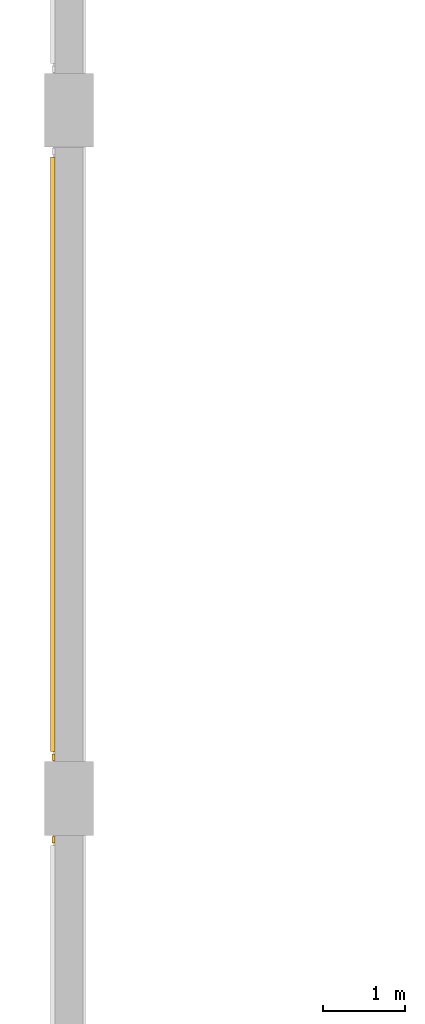
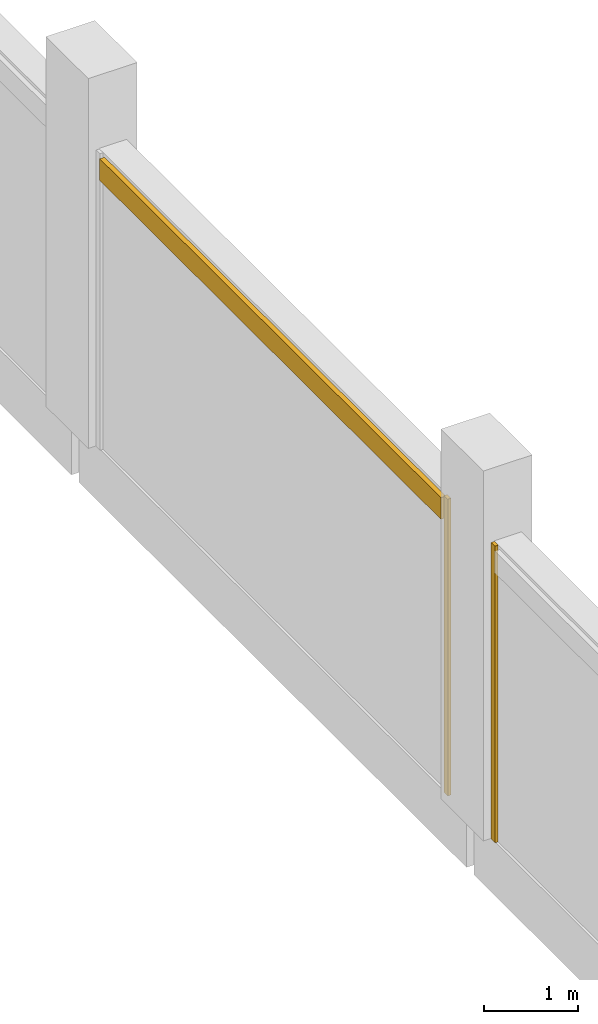
# One storey, part 123 of 128: 3 coverings.
"""IFC4 building model written with IfcOpenShell, lengths in metres."""

from ifc_helpers import new_model, si_unit, direction, frame, origin, origin_2d, place, context, subcontext, project, spatial, rectangle, extrude, material, layer, layer_set, type_object, element, save


model = new_model("IFC4")

# Units and contexts
model_context = context("Model", 3, precision=1e-05, world=origin(), true_north=direction((0.0, 1.0)))
body_context = subcontext(model_context, "Body", "Model", "MODEL_VIEW")
ifc_project = project(units=[si_unit("LENGTHUNIT", "METRE"), si_unit("AREAUNIT", "SQUARE_METRE"), si_unit("VOLUMEUNIT", "CUBIC_METRE"), si_unit("PLANEANGLEUNIT", "RADIAN"), si_unit("MASSUNIT", "GRAM", prefix="KILO")], contexts=[model_context])

# Site, building, storey
site_placement = place(None, origin())
site = spatial("IfcSite", under=ifc_project, at=site_placement, CompositionType="ELEMENT")
building_placement = place(site_placement, origin())
building = spatial("IfcBuilding", under=site, at=building_placement, Name="Telukmera Botanical Conservatory", CompositionType="ELEMENT")
storey_placement = place(building_placement, frame((0.0, 0.0, 5.39990234375)))
storey = spatial("IfcBuildingStorey", under=building, at=storey_placement, Name="L01", CompositionType="ELEMENT", Elevation=5.39990234375)

# Coverings
ifc_material_1 = material(Name="Granite-faced precast concrete C40/50", Category="masonry")
ifc_layer_1 = layer(ifc_material_1, 0.0400390625)
ifc_layer_set_1 = layer_set([ifc_layer_1], Name="Granite-faced precast concrete C40/50")
covering_type_1 = type_object("IfcCoveringType", Name="Granite Precast Column Pier Reveal Casing", PredefinedType="CLADDING", material=ifc_layer_set_1)
for number, where, z_axis, x_axis, name in (
    (1, (8.2099609375, 99.498046875, 0.0), (0.0, 0.0, 1.0), (0.0, 1.0, 0.0), "Granite Pier Reveal V2:L01:W2 R"),
    (2, (8.2099609375, 100.501953125, 0.0), (0.0, 0.0, 1.0), (0.0, 1.0, 0.0), "Granite Pier Reveal V2:L01:W3 L"),
):
    element("IfcCovering", number, at=place(storey_placement, frame(where, z_axis=z_axis, x_axis=x_axis)), inside=storey, type_object=covering_type_1, Name=name, PredefinedType="CLADDING", context=body_context, shape_type="SweptSolid", body=[
        extrude(rectangle(XDim=0.080078125, YDim=0.0400390625, at=origin_2d()), origin(), (0.0, 0.0, 1.0), 3.85009765625),
    ])
ifc_material_2 = material(Name="Terracotta-faced precast concrete C40/50", Category="masonry")
ifc_layer_2 = layer(ifc_material_2, 0.06005859375)
ifc_layer_set_2 = layer_set([ifc_layer_2], Name="Terracotta-faced precast concrete C40/50")
covering_type_2 = type_object("IfcCoveringType", Name="Polychrome Terracotta Facade Band Cladding", PredefinedType="CLADDING", material=ifc_layer_set_2)
covering_placement = place(storey_placement, frame((8.199951171875, 104.199951171875, 3.5302734375), z_axis=(0.0, 0.0, 1.0), x_axis=(0.0, 1.0, 0.0)))
element("IfcCovering", 3, at=covering_placement, inside=storey, type_object=covering_type_2, Name="Polychrome Terracotta Band V2:L01:W3", PredefinedType="CLADDING", context=body_context, shape_type="SweptSolid", body=[
    extrude(rectangle(XDim=7.256103515625, YDim=0.06005859375, at=origin_2d()), origin(), (0.0, 0.0, 1.0), 0.280029296875),
])

save(model, "model.ifc")
